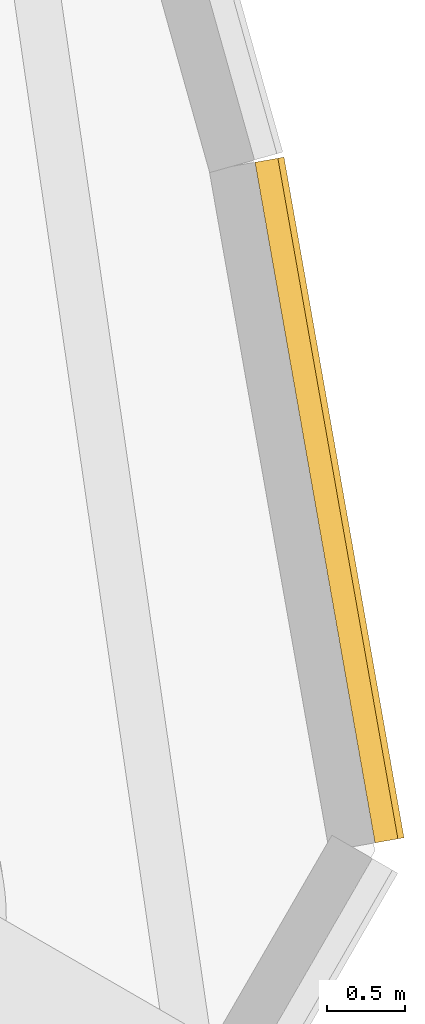
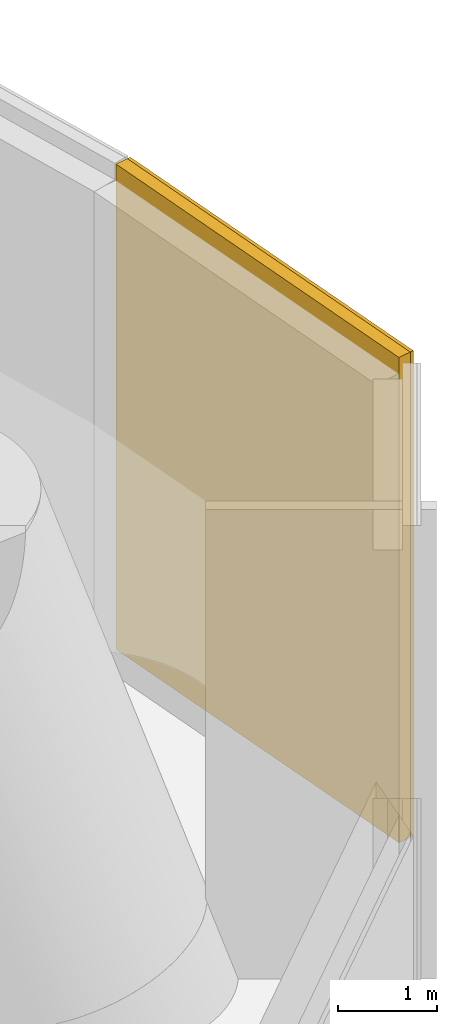
# One storey, part 20 of 22: 2 coverings.
"""IFC4 building model written with IfcOpenShell, lengths in metres."""

from ifc_helpers import new_model, si_unit, direction, frame, origin, origin_2d, place, context, subcontext, project, spatial, rectangle, extrude, material, layer, layer_set, type_object, element, save


model = new_model("IFC4")

# Units and contexts
model_context = context("Model", 3, precision=1e-05, world=origin(), true_north=direction((0.0, 1.0)))
body_context = subcontext(model_context, "Body", "Model", "MODEL_VIEW")
ifc_project = project(units=[si_unit("LENGTHUNIT", "METRE"), si_unit("AREAUNIT", "SQUARE_METRE"), si_unit("VOLUMEUNIT", "CUBIC_METRE"), si_unit("PLANEANGLEUNIT", "RADIAN"), si_unit("MASSUNIT", "GRAM", prefix="KILO")], contexts=[model_context])

# Site, building, storey
site_placement = place(None, origin())
site = spatial("IfcSite", under=ifc_project, at=site_placement, CompositionType="ELEMENT")
building_placement = place(site_placement, origin())
building = spatial("IfcBuilding", under=site, at=building_placement, Name="Trefoil Bronze Tower", CompositionType="ELEMENT")
storey_placement = place(building_placement, frame((0.0, 0.0, 265.300048828125)))
storey = spatial("IfcBuildingStorey", under=building, at=storey_placement, Name="L61", CompositionType="ELEMENT", Elevation=265.300048828125)

# Coverings
ifc_material_1 = material(Name="Bronze-finish aluminium rainscreen panel on aluminium rails", Category="aluminium")
ifc_layer_1 = layer(ifc_material_1, 0.0400390625)
ifc_layer_set_1 = layer_set([ifc_layer_1], Name="Bronze cladding panel 40")
covering_type_1 = type_object("IfcCoveringType", Name="Bronze cladding panel 40", PredefinedType="CLADDING", material=ifc_layer_set_1)
covering_1_placement = place(storey_placement, frame((32.298828125, -13.864990234375, 0.0), z_axis=(0.0, 0.0, 1.0), x_axis=(-0.173648177512, 0.984807753039, 0.0)))
element("IfcCovering", 1, at=covering_1_placement, inside=storey, type_object=covering_type_1, Name="Cladding panel L61 Corner 1.3 piece 1", PredefinedType="CLADDING", context=body_context, shape_type="SweptSolid", body=[
    extrude(rectangle(XDim=4.457763671875, YDim=0.0400390625, at=origin_2d()), origin(), (0.0, 0.0, 1.0), 6.0),
])
ifc_material_2 = material(Name="Non-combustible mineral wool slab", Category="insulation")
ifc_layer_2 = layer(ifc_material_2, 0.14990234375)
ifc_layer_set_2 = layer_set([ifc_layer_2], Name="Rainscreen insulation 150")
covering_type_2 = type_object("IfcCoveringType", Name="Rainscreen insulation 150", PredefinedType="INSULATION", material=ifc_layer_set_2)
covering_2_placement = place(storey_placement, frame((32.205322265625, -13.881591796875, 0.0), z_axis=(0.0, 0.0, 1.0), x_axis=(-0.173648177512, 0.984807753039, 0.0)))
element("IfcCovering", 2, at=covering_2_placement, inside=storey, type_object=covering_type_2, Name="Insulation L61 Corner 1.3 piece 1", PredefinedType="INSULATION", context=body_context, shape_type="SweptSolid", body=[
    extrude(rectangle(XDim=4.457763671875, YDim=0.14990234375, at=origin_2d()), origin(), (0.0, 0.0, 1.0), 6.0),
])

save(model, "model.ifc")
